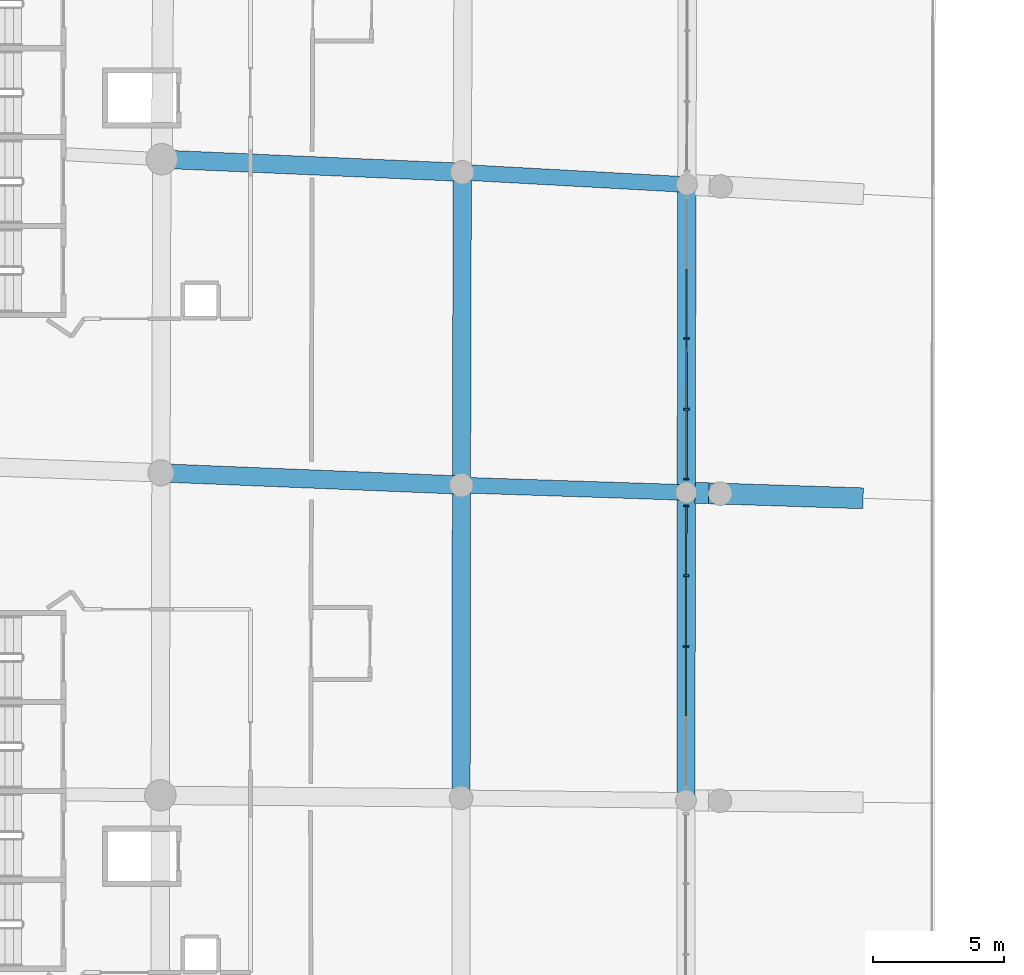
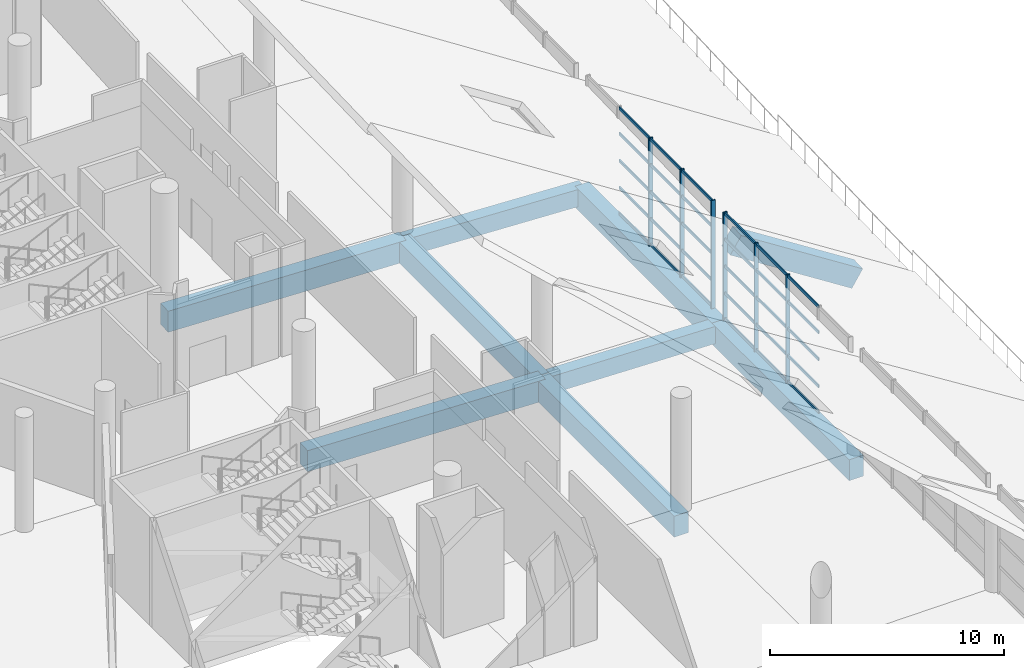
# One storey, part 55 of 249: 36 members, 9 beams, 2 elements without a shape of their own.
"""IFC4 building model written with IfcOpenShell, lengths in metres."""

from ifc_helpers import new_model, si_unit, direction, frame, origin, origin_2d, place, context, subcontext, project, spatial, rectangle, extrude, material, layer, layer_set, material_profile, profile_set, type_object, element, aggregate, save


model = new_model("IFC4")

# Units and contexts
model_context = context("Model", 3, precision=1e-05, world=origin(), true_north=direction((0.0, 1.0)))
body_context = subcontext(model_context, "Body", "Model", "MODEL_VIEW")
ifc_project = project(units=[si_unit("LENGTHUNIT", "METRE"), si_unit("AREAUNIT", "SQUARE_METRE"), si_unit("VOLUMEUNIT", "CUBIC_METRE"), si_unit("PLANEANGLEUNIT", "RADIAN"), si_unit("MASSUNIT", "GRAM", prefix="KILO")], contexts=[model_context])

# Site, building, storey
site_placement = place(None, origin())
site = spatial("IfcSite", under=ifc_project, at=site_placement, CompositionType="ELEMENT")
building_placement = place(site_placement, origin())
building = spatial("IfcBuilding", under=site, at=building_placement, Name="Meseta Stadium", CompositionType="ELEMENT")
storey_placement = place(building_placement, frame((0.0, 0.0, 12.0)))
storey = spatial("IfcBuildingStorey", under=building, at=storey_placement, Name="L02", CompositionType="ELEMENT", Elevation=12.0)

# Curtain wall, members
ifc_material_1 = material(Name="Aluminium", Category="aluminium")
ifc_layer = layer(ifc_material_1, 0.199951171875)
ifc_layer_set = layer_set([ifc_layer], Name="Suite glazing curtain wall")
curtain_wall_type = type_object("IfcCurtainWallType", Name="Suite glazing curtain wall", PredefinedType="NOTDEFINED", material=ifc_layer_set)
curtain_wall_1_placement = place(storey_placement, origin())
curtain_wall_1 = element("IfcCurtainWall", 1, at=curtain_wall_1_placement, inside=storey, type_object=curtain_wall_type, Name="Suite glazing bay 30", PredefinedType="NOTDEFINED")
ifc_material_2 = material(Name="Aluminium", Category="aluminium")
ifc_material_profile_1 = material_profile(ifc_material_2, rectangle(XDim=0.199951171875, YDim=0.06005859375, at=origin_2d()), Name="CW 200x60")
ifc_profile_set_1 = profile_set([ifc_material_profile_1], Name="Aluminium")
member_type_1 = type_object("IfcMemberType", Name="CW mullion 60x200", PredefinedType="MULLION", material=ifc_profile_set_1)
member_1_placement = place(storey_placement, frame((-64.875732421875, 23.546875, 0.0), z_axis=(0.0, 0.0, 1.0), x_axis=(0.999998105206, -0.001946685349, 0.0)))
member_1 = element("IfcMember", 2, at=member_1_placement, type_object=member_type_1, Name="CWS mullion 3", PredefinedType="MULLION", context=body_context, shape_type="SweptSolid", body=[
    extrude(rectangle(XDim=0.199951171875, YDim=0.06005859375, at=origin_2d()), origin(), (0.0, 0.0, 1.0), 5.64990234375),
])
member_2_placement = place(storey_placement, frame((-64.880859375, 20.84326171875, 0.0), z_axis=(0.0, 0.0, 1.0), x_axis=(0.999998105206, -0.001946685349, 0.0)))
member_2 = element("IfcMember", 3, at=member_2_placement, type_object=member_type_1, Name="CWS mullion 4", PredefinedType="MULLION", context=body_context, shape_type="SweptSolid", body=[
    extrude(rectangle(XDim=0.199951171875, YDim=0.06005859375, at=origin_2d()), origin(), (0.0, 0.0, 1.0), 5.64990234375),
])
member_3_placement = place(storey_placement, frame((-64.885986328125, 18.169921875, 0.0), z_axis=(0.0, 0.0, 1.0), x_axis=(0.999998105206, -0.001946685349, 0.0)))
member_3 = element("IfcMember", 4, at=member_3_placement, type_object=member_type_1, Name="CWS mullion 5", PredefinedType="MULLION", context=body_context, shape_type="SweptSolid", body=[
    extrude(rectangle(XDim=0.199951171875, YDim=0.06005859375, at=origin_2d()), origin(), (0.0, 0.0, 1.0), 5.64990234375),
])

curtain_wall_2_placement = place(storey_placement, origin())
curtain_wall_2 = element("IfcCurtainWall", 5, at=curtain_wall_2_placement, inside=storey, type_object=curtain_wall_type, Name="Suite glazing bay 31", PredefinedType="NOTDEFINED")
member_4_placement = place(storey_placement, frame((-64.8876953125, 17.151611328125, 0.0), z_axis=(0.0, 0.0, 1.0), x_axis=(0.99999952434, -0.000975355927, 0.0)))
member_4 = element("IfcMember", 6, at=member_4_placement, type_object=member_type_1, Name="CWS mullion 1", PredefinedType="MULLION", context=body_context, shape_type="SweptSolid", body=[
    extrude(rectangle(XDim=0.199951171875, YDim=0.06005859375, at=origin_2d()), origin(), (0.0, 0.0, 1.0), 5.64990234375),
])
member_5_placement = place(storey_placement, frame((-64.89013671875, 14.477783203125, 0.0), z_axis=(0.0, 0.0, 1.0), x_axis=(0.99999952434, -0.000975355927, 0.0)))
member_5 = element("IfcMember", 7, at=member_5_placement, type_object=member_type_1, Name="CWS mullion 2", PredefinedType="MULLION", context=body_context, shape_type="SweptSolid", body=[
    extrude(rectangle(XDim=0.199951171875, YDim=0.06005859375, at=origin_2d()), origin(), (0.0, 0.0, 1.0), 5.64990234375),
])
member_6_placement = place(storey_placement, frame((-64.892822265625, 11.773681640625, 0.0), z_axis=(0.0, 0.0, 1.0), x_axis=(0.99999952434, -0.000975355927, 0.0)))
member_6 = element("IfcMember", 8, at=member_6_placement, type_object=member_type_1, Name="CWS mullion 3", PredefinedType="MULLION", context=body_context, shape_type="SweptSolid", body=[
    extrude(rectangle(XDim=0.199951171875, YDim=0.06005859375, at=origin_2d()), origin(), (0.0, 0.0, 1.0), 5.64990234375),
])

# Member
ifc_material_3 = material(Name="Aluminium", Category="aluminium")
ifc_material_profile_2 = material_profile(ifc_material_3, rectangle(XDim=0.06005859375, YDim=0.14990234375, at=origin_2d()), Name="CW 60x150")
ifc_profile_set_2 = profile_set([ifc_material_profile_2], Name="Aluminium")
member_type_2 = type_object("IfcMemberType", Name="CW transom 60x150", PredefinedType="USERDEFINED", material=ifc_profile_set_2)
member_7_placement = place(storey_placement, frame((-64.870361328125, 26.22021484375, 0.074951171875), z_axis=(-0.001939591807, -0.99999811899, 0.0), x_axis=(0.99999811899, -0.001939591807, 0.0)))
member_7 = element("IfcMember", 9, at=member_7_placement, type_object=member_type_2, Name="CWS transom 2.1", ObjectType="TRANSOM", PredefinedType="USERDEFINED", context=body_context, shape_type="SweptSolid", body=[
    extrude(rectangle(XDim=0.06005859375, YDim=0.14990234375, at=origin_2d()), origin(), (0.0, 0.0, 1.0), 2.643310546875),
])

member_8_placement = place(storey_placement, frame((-64.870361328125, 26.22021484375, 1.41259765625), z_axis=(-0.001939591807, -0.99999811899, 0.0), x_axis=(0.99999811899, -0.001939591807, 0.0)))
member_8 = element("IfcMember", 10, at=member_8_placement, type_object=member_type_2, Name="CWS transom 2.2", ObjectType="TRANSOM", PredefinedType="USERDEFINED", context=body_context, shape_type="SweptSolid", body=[
    extrude(rectangle(XDim=0.06005859375, YDim=0.14990234375, at=origin_2d()), origin(), (0.0, 0.0, 1.0), 2.643310546875),
])

member_9_placement = place(storey_placement, frame((-64.870361328125, 26.22021484375, 2.824951171875), z_axis=(-0.001939591807, -0.99999811899, 0.0), x_axis=(0.99999811899, -0.001939591807, 0.0)))
member_9 = element("IfcMember", 11, at=member_9_placement, type_object=member_type_2, Name="CWS transom 2.3", ObjectType="TRANSOM", PredefinedType="USERDEFINED", context=body_context, shape_type="SweptSolid", body=[
    extrude(rectangle(XDim=0.06005859375, YDim=0.14990234375, at=origin_2d()), origin(), (0.0, 0.0, 1.0), 2.643310546875),
])

member_10_placement = place(storey_placement, frame((-64.870361328125, 26.22021484375, 4.237548828125), z_axis=(-0.001939591807, -0.99999811899, 0.0), x_axis=(0.99999811899, -0.001939591807, 0.0)))
member_10 = element("IfcMember", 12, at=member_10_placement, type_object=member_type_2, Name="CWS transom 2.4", ObjectType="TRANSOM", PredefinedType="USERDEFINED", context=body_context, shape_type="SweptSolid", body=[
    extrude(rectangle(XDim=0.06005859375, YDim=0.14990234375, at=origin_2d()), origin(), (0.0, 0.0, 1.0), 2.643310546875),
])

member_11_placement = place(storey_placement, frame((-64.870361328125, 26.22021484375, 5.574951171875), z_axis=(-0.001939591807, -0.99999811899, 0.0), x_axis=(0.99999811899, -0.001939591807, 0.0)))
member_11 = element("IfcMember", 13, at=member_11_placement, type_object=member_type_2, Name="CWS transom 2.5", ObjectType="TRANSOM", PredefinedType="USERDEFINED", context=body_context, shape_type="SweptSolid", body=[
    extrude(rectangle(XDim=0.06005859375, YDim=0.14990234375, at=origin_2d()), origin(), (0.0, 0.0, 1.0), 2.643310546875),
])

member_12_placement = place(storey_placement, frame((-64.875732421875, 23.516845703125, 0.074951171875), z_axis=(-0.001939412681, -0.999998119337, 0.0), x_axis=(0.999998119337, -0.001939412681, 0.0)))
member_12 = element("IfcMember", 14, at=member_12_placement, type_object=member_type_2, Name="CWS transom 3.1", ObjectType="TRANSOM", PredefinedType="USERDEFINED", context=body_context, shape_type="SweptSolid", body=[
    extrude(rectangle(XDim=0.06005859375, YDim=0.14990234375, at=origin_2d()), origin(), (0.0, 0.0, 1.0), 2.6435546875),
])

member_13_placement = place(storey_placement, frame((-64.875732421875, 23.516845703125, 1.41259765625), z_axis=(-0.001939412681, -0.999998119337, 0.0), x_axis=(0.999998119337, -0.001939412681, 0.0)))
member_13 = element("IfcMember", 15, at=member_13_placement, type_object=member_type_2, Name="CWS transom 3.2", ObjectType="TRANSOM", PredefinedType="USERDEFINED", context=body_context, shape_type="SweptSolid", body=[
    extrude(rectangle(XDim=0.06005859375, YDim=0.14990234375, at=origin_2d()), origin(), (0.0, 0.0, 1.0), 2.6435546875),
])

member_14_placement = place(storey_placement, frame((-64.875732421875, 23.516845703125, 2.824951171875), z_axis=(-0.001939412681, -0.999998119337, 0.0), x_axis=(0.999998119337, -0.001939412681, 0.0)))
member_14 = element("IfcMember", 16, at=member_14_placement, type_object=member_type_2, Name="CWS transom 3.3", ObjectType="TRANSOM", PredefinedType="USERDEFINED", context=body_context, shape_type="SweptSolid", body=[
    extrude(rectangle(XDim=0.06005859375, YDim=0.14990234375, at=origin_2d()), origin(), (0.0, 0.0, 1.0), 2.6435546875),
])

member_15_placement = place(storey_placement, frame((-64.875732421875, 23.516845703125, 4.237548828125), z_axis=(-0.001939412681, -0.999998119337, 0.0), x_axis=(0.999998119337, -0.001939412681, 0.0)))
member_15 = element("IfcMember", 17, at=member_15_placement, type_object=member_type_2, Name="CWS transom 3.4", ObjectType="TRANSOM", PredefinedType="USERDEFINED", context=body_context, shape_type="SweptSolid", body=[
    extrude(rectangle(XDim=0.06005859375, YDim=0.14990234375, at=origin_2d()), origin(), (0.0, 0.0, 1.0), 2.6435546875),
])

member_16_placement = place(storey_placement, frame((-64.875732421875, 23.516845703125, 5.574951171875), z_axis=(-0.001939412681, -0.999998119337, 0.0), x_axis=(0.999998119337, -0.001939412681, 0.0)))
member_16 = element("IfcMember", 18, at=member_16_placement, type_object=member_type_2, Name="CWS transom 3.5", ObjectType="TRANSOM", PredefinedType="USERDEFINED", context=body_context, shape_type="SweptSolid", body=[
    extrude(rectangle(XDim=0.06005859375, YDim=0.14990234375, at=origin_2d()), origin(), (0.0, 0.0, 1.0), 2.6435546875),
])

member_17_placement = place(storey_placement, frame((-64.880859375, 20.8134765625, 0.074951171875), z_axis=(-0.001961696366, -0.999998075872, 0.0), x_axis=(0.999998075872, -0.001961696366, 0.0)))
member_17 = element("IfcMember", 19, at=member_17_placement, type_object=member_type_2, Name="CWS transom 4.1", ObjectType="TRANSOM", PredefinedType="USERDEFINED", context=body_context, shape_type="SweptSolid", body=[
    extrude(rectangle(XDim=0.06005859375, YDim=0.14990234375, at=origin_2d()), origin(), (0.0, 0.0, 1.0), 2.613525390625),
])

member_18_placement = place(storey_placement, frame((-64.880859375, 20.8134765625, 1.41259765625), z_axis=(-0.001961696366, -0.999998075872, 0.0), x_axis=(0.999998075872, -0.001961696366, 0.0)))
member_18 = element("IfcMember", 20, at=member_18_placement, type_object=member_type_2, Name="CWS transom 4.2", ObjectType="TRANSOM", PredefinedType="USERDEFINED", context=body_context, shape_type="SweptSolid", body=[
    extrude(rectangle(XDim=0.06005859375, YDim=0.14990234375, at=origin_2d()), origin(), (0.0, 0.0, 1.0), 2.613525390625),
])

member_19_placement = place(storey_placement, frame((-64.880859375, 20.8134765625, 2.824951171875), z_axis=(-0.001961696366, -0.999998075872, 0.0), x_axis=(0.999998075872, -0.001961696366, 0.0)))
member_19 = element("IfcMember", 21, at=member_19_placement, type_object=member_type_2, Name="CWS transom 4.3", ObjectType="TRANSOM", PredefinedType="USERDEFINED", context=body_context, shape_type="SweptSolid", body=[
    extrude(rectangle(XDim=0.06005859375, YDim=0.14990234375, at=origin_2d()), origin(), (0.0, 0.0, 1.0), 2.613525390625),
])

member_20_placement = place(storey_placement, frame((-64.880859375, 20.8134765625, 4.237548828125), z_axis=(-0.001961696366, -0.999998075872, 0.0), x_axis=(0.999998075872, -0.001961696366, 0.0)))
member_20 = element("IfcMember", 22, at=member_20_placement, type_object=member_type_2, Name="CWS transom 4.4", ObjectType="TRANSOM", PredefinedType="USERDEFINED", context=body_context, shape_type="SweptSolid", body=[
    extrude(rectangle(XDim=0.06005859375, YDim=0.14990234375, at=origin_2d()), origin(), (0.0, 0.0, 1.0), 2.613525390625),
])

member_21_placement = place(storey_placement, frame((-64.880859375, 20.8134765625, 5.574951171875), z_axis=(-0.001961696366, -0.999998075872, 0.0), x_axis=(0.999998075872, -0.001961696366, 0.0)))
member_21 = element("IfcMember", 23, at=member_21_placement, type_object=member_type_2, Name="CWS transom 4.5", ObjectType="TRANSOM", PredefinedType="USERDEFINED", context=body_context, shape_type="SweptSolid", body=[
    extrude(rectangle(XDim=0.06005859375, YDim=0.14990234375, at=origin_2d()), origin(), (0.0, 0.0, 1.0), 2.613525390625),
])

aggregate(curtain_wall_1, [member_1, member_2, member_3, member_7, member_8, member_9, member_10, member_11, member_12, member_13, member_14, member_15, member_16, member_17, member_18, member_19, member_20, member_21])

member_22_placement = place(storey_placement, frame((-64.8876953125, 17.12158203125, 0.074951171875), z_axis=(-0.000933968025, -0.999999563852, 0.0), x_axis=(0.999999563852, -0.000933968025, 0.0)))
member_22 = element("IfcMember", 24, at=member_22_placement, type_object=member_type_2, Name="CWS transom 1.1", ObjectType="TRANSOM", PredefinedType="USERDEFINED", context=body_context, shape_type="SweptSolid", body=[
    extrude(rectangle(XDim=0.06005859375, YDim=0.14990234375, at=origin_2d()), origin(), (0.0, 0.0, 1.0), 2.614013671875),
])

member_23_placement = place(storey_placement, frame((-64.8876953125, 17.12158203125, 1.41259765625), z_axis=(-0.000933968025, -0.999999563852, 0.0), x_axis=(0.999999563852, -0.000933968025, 0.0)))
member_23 = element("IfcMember", 25, at=member_23_placement, type_object=member_type_2, Name="CWS transom 1.2", ObjectType="TRANSOM", PredefinedType="USERDEFINED", context=body_context, shape_type="SweptSolid", body=[
    extrude(rectangle(XDim=0.06005859375, YDim=0.14990234375, at=origin_2d()), origin(), (0.0, 0.0, 1.0), 2.614013671875),
])

member_24_placement = place(storey_placement, frame((-64.8876953125, 17.12158203125, 2.824951171875), z_axis=(-0.000933968025, -0.999999563852, 0.0), x_axis=(0.999999563852, -0.000933968025, 0.0)))
member_24 = element("IfcMember", 26, at=member_24_placement, type_object=member_type_2, Name="CWS transom 1.3", ObjectType="TRANSOM", PredefinedType="USERDEFINED", context=body_context, shape_type="SweptSolid", body=[
    extrude(rectangle(XDim=0.06005859375, YDim=0.14990234375, at=origin_2d()), origin(), (0.0, 0.0, 1.0), 2.614013671875),
])

member_25_placement = place(storey_placement, frame((-64.8876953125, 17.12158203125, 4.237548828125), z_axis=(-0.000933968025, -0.999999563852, 0.0), x_axis=(0.999999563852, -0.000933968025, 0.0)))
member_25 = element("IfcMember", 27, at=member_25_placement, type_object=member_type_2, Name="CWS transom 1.4", ObjectType="TRANSOM", PredefinedType="USERDEFINED", context=body_context, shape_type="SweptSolid", body=[
    extrude(rectangle(XDim=0.06005859375, YDim=0.14990234375, at=origin_2d()), origin(), (0.0, 0.0, 1.0), 2.614013671875),
])

member_26_placement = place(storey_placement, frame((-64.8876953125, 17.12158203125, 5.574951171875), z_axis=(-0.000933968025, -0.999999563852, 0.0), x_axis=(0.999999563852, -0.000933968025, 0.0)))
member_26 = element("IfcMember", 28, at=member_26_placement, type_object=member_type_2, Name="CWS transom 1.5", ObjectType="TRANSOM", PredefinedType="USERDEFINED", context=body_context, shape_type="SweptSolid", body=[
    extrude(rectangle(XDim=0.06005859375, YDim=0.14990234375, at=origin_2d()), origin(), (0.0, 0.0, 1.0), 2.614013671875),
])

member_27_placement = place(storey_placement, frame((-64.89013671875, 14.44775390625, 0.074951171875), z_axis=(-0.001015696614, -0.99999948418, 0.0), x_axis=(0.99999948418, -0.001015696614, 0.0)))
member_27 = element("IfcMember", 29, at=member_27_placement, type_object=member_type_2, Name="CWS transom 2.1", ObjectType="TRANSOM", PredefinedType="USERDEFINED", context=body_context, shape_type="SweptSolid", body=[
    extrude(rectangle(XDim=0.06005859375, YDim=0.14990234375, at=origin_2d()), origin(), (0.0, 0.0, 1.0), 2.64404296875),
])

member_28_placement = place(storey_placement, frame((-64.89013671875, 14.44775390625, 1.41259765625), z_axis=(-0.001015696614, -0.99999948418, 0.0), x_axis=(0.99999948418, -0.001015696614, 0.0)))
member_28 = element("IfcMember", 30, at=member_28_placement, type_object=member_type_2, Name="CWS transom 2.2", ObjectType="TRANSOM", PredefinedType="USERDEFINED", context=body_context, shape_type="SweptSolid", body=[
    extrude(rectangle(XDim=0.06005859375, YDim=0.14990234375, at=origin_2d()), origin(), (0.0, 0.0, 1.0), 2.64404296875),
])

member_29_placement = place(storey_placement, frame((-64.89013671875, 14.44775390625, 2.824951171875), z_axis=(-0.001015696614, -0.99999948418, 0.0), x_axis=(0.99999948418, -0.001015696614, 0.0)))
member_29 = element("IfcMember", 31, at=member_29_placement, type_object=member_type_2, Name="CWS transom 2.3", ObjectType="TRANSOM", PredefinedType="USERDEFINED", context=body_context, shape_type="SweptSolid", body=[
    extrude(rectangle(XDim=0.06005859375, YDim=0.14990234375, at=origin_2d()), origin(), (0.0, 0.0, 1.0), 2.64404296875),
])

member_30_placement = place(storey_placement, frame((-64.89013671875, 14.44775390625, 4.237548828125), z_axis=(-0.001015696614, -0.99999948418, 0.0), x_axis=(0.99999948418, -0.001015696614, 0.0)))
member_30 = element("IfcMember", 32, at=member_30_placement, type_object=member_type_2, Name="CWS transom 2.4", ObjectType="TRANSOM", PredefinedType="USERDEFINED", context=body_context, shape_type="SweptSolid", body=[
    extrude(rectangle(XDim=0.06005859375, YDim=0.14990234375, at=origin_2d()), origin(), (0.0, 0.0, 1.0), 2.64404296875),
])

member_31_placement = place(storey_placement, frame((-64.89013671875, 14.44775390625, 5.574951171875), z_axis=(-0.001015696614, -0.99999948418, 0.0), x_axis=(0.99999948418, -0.001015696614, 0.0)))
member_31 = element("IfcMember", 33, at=member_31_placement, type_object=member_type_2, Name="CWS transom 2.5", ObjectType="TRANSOM", PredefinedType="USERDEFINED", context=body_context, shape_type="SweptSolid", body=[
    extrude(rectangle(XDim=0.06005859375, YDim=0.14990234375, at=origin_2d()), origin(), (0.0, 0.0, 1.0), 2.64404296875),
])

member_32_placement = place(storey_placement, frame((-64.892822265625, 11.743896484375, 0.074951171875), z_axis=(-0.001015696614, -0.99999948418, 0.0), x_axis=(0.99999948418, -0.001015696614, 0.0)))
member_32 = element("IfcMember", 34, at=member_32_placement, type_object=member_type_2, Name="CWS transom 3.1", ObjectType="TRANSOM", PredefinedType="USERDEFINED", context=body_context, shape_type="SweptSolid", body=[
    extrude(rectangle(XDim=0.06005859375, YDim=0.14990234375, at=origin_2d()), origin(), (0.0, 0.0, 1.0), 2.64404296875),
])

member_33_placement = place(storey_placement, frame((-64.892822265625, 11.743896484375, 1.41259765625), z_axis=(-0.001015696614, -0.99999948418, 0.0), x_axis=(0.99999948418, -0.001015696614, 0.0)))
member_33 = element("IfcMember", 35, at=member_33_placement, type_object=member_type_2, Name="CWS transom 3.2", ObjectType="TRANSOM", PredefinedType="USERDEFINED", context=body_context, shape_type="SweptSolid", body=[
    extrude(rectangle(XDim=0.06005859375, YDim=0.14990234375, at=origin_2d()), origin(), (0.0, 0.0, 1.0), 2.64404296875),
])

member_34_placement = place(storey_placement, frame((-64.892822265625, 11.743896484375, 2.824951171875), z_axis=(-0.001015696614, -0.99999948418, 0.0), x_axis=(0.99999948418, -0.001015696614, 0.0)))
member_34 = element("IfcMember", 36, at=member_34_placement, type_object=member_type_2, Name="CWS transom 3.3", ObjectType="TRANSOM", PredefinedType="USERDEFINED", context=body_context, shape_type="SweptSolid", body=[
    extrude(rectangle(XDim=0.06005859375, YDim=0.14990234375, at=origin_2d()), origin(), (0.0, 0.0, 1.0), 2.64404296875),
])

member_35_placement = place(storey_placement, frame((-64.892822265625, 11.743896484375, 4.237548828125), z_axis=(-0.001015696614, -0.99999948418, 0.0), x_axis=(0.99999948418, -0.001015696614, 0.0)))
member_35 = element("IfcMember", 37, at=member_35_placement, type_object=member_type_2, Name="CWS transom 3.4", ObjectType="TRANSOM", PredefinedType="USERDEFINED", context=body_context, shape_type="SweptSolid", body=[
    extrude(rectangle(XDim=0.06005859375, YDim=0.14990234375, at=origin_2d()), origin(), (0.0, 0.0, 1.0), 2.64404296875),
])

member_36_placement = place(storey_placement, frame((-64.892822265625, 11.743896484375, 5.574951171875), z_axis=(-0.001015696614, -0.99999948418, 0.0), x_axis=(0.99999948418, -0.001015696614, 0.0)))
member_36 = element("IfcMember", 38, at=member_36_placement, type_object=member_type_2, Name="CWS transom 3.5", ObjectType="TRANSOM", PredefinedType="USERDEFINED", context=body_context, shape_type="SweptSolid", body=[
    extrude(rectangle(XDim=0.06005859375, YDim=0.14990234375, at=origin_2d()), origin(), (0.0, 0.0, 1.0), 2.64404296875),
])

aggregate(curtain_wall_2, [member_4, member_5, member_6, member_22, member_23, member_24, member_25, member_26, member_27, member_28, member_29, member_30, member_31, member_32, member_33, member_34, member_35, member_36])

# Beams
ifc_material_4 = material(Name="Concrete C40/50", Category="concrete")
ifc_material_profile_3 = material_profile(ifc_material_4, rectangle(XDim=0.60009765625, YDim=0.89990234375, at=origin_2d()), Name="RC 600x900")
ifc_profile_set_3 = profile_set([ifc_material_profile_3], Name="Concrete C40/50")
beam_type_1 = type_object("IfcBeamType", Name="RC beam 600x900", PredefinedType="BEAM", material=ifc_profile_set_3)
beam_1_placement = place(storey_placement, frame((-64.8642578125, 29.433349609375, -0.800048828125), z_axis=(-0.998501047384, 0.054732607948, 0.0), x_axis=(-0.054732607948, -0.998501047384, 0.0)))
element("IfcBeam", 39, at=beam_1_placement, inside=storey, type_object=beam_type_1, Name="L02 radial beam frame 30 line D to E", PredefinedType="BEAM", context=body_context, shape_type="SweptSolid", body=[
    extrude(rectangle(XDim=0.60009765625, YDim=0.89990234375, at=origin_2d()), origin(), (0.0, 0.0, 1.0), 8.60009765625),
])
beam_2_placement = place(storey_placement, frame((-64.88720703125, 17.660888671875, -0.800048828125), z_axis=(-0.999459492737, 0.032874342231, 0.0), x_axis=(-0.032874342231, -0.999459492737, 0.0)))
element("IfcBeam", 40, at=beam_2_placement, inside=storey, type_object=beam_type_1, Name="L02 radial beam frame 31 line D to E", PredefinedType="BEAM", context=body_context, shape_type="SweptSolid", body=[
    extrude(rectangle(XDim=0.60009765625, YDim=0.89990234375, at=origin_2d()), origin(), (0.0, 0.0, 1.0), 8.599853515625),
])
ifc_material_5 = material(Name="Concrete C40/50", Category="concrete")
ifc_material_profile_4 = material_profile(ifc_material_5, rectangle(XDim=0.699951171875, YDim=1.10009765625, at=origin_2d()), Name="RC 700x1100")
ifc_profile_set_4 = profile_set([ifc_material_profile_4], Name="Concrete C40/50")
beam_type_2 = type_object("IfcBeamType", Name="RC beam 700x1100", PredefinedType="BEAM", material=ifc_profile_set_4)
beam_3_placement = place(storey_placement, frame((-64.8642578125, 29.433349609375, -0.89990234375), z_axis=(-0.001949394886, -0.999998099928, 0.0), x_axis=(0.999998099928, -0.001949394886, 0.0)))
element("IfcBeam", 41, at=beam_3_placement, inside=storey, type_object=beam_type_2, Name="L02 ring beam frame 30 line D", PredefinedType="BEAM", context=body_context, shape_type="SweptSolid", body=[
    extrude(rectangle(XDim=0.699951171875, YDim=1.10009765625, at=origin_2d()), origin(), (0.0, 0.0, 1.0), 11.7724609375),
])
beam_4_placement = place(storey_placement, frame((-73.451416015625, 29.904052734375, -0.89990234375), z_axis=(-0.002592357078, -0.999996639837, 0.0), x_axis=(0.999996639837, -0.002592357078, 0.0)))
element("IfcBeam", 42, at=beam_4_placement, inside=storey, type_object=beam_type_2, Name="L02 ring beam frame 30 line E", PredefinedType="BEAM", context=body_context, shape_type="SweptSolid", body=[
    extrude(rectangle(XDim=0.699951171875, YDim=1.10009765625, at=origin_2d()), origin(), (0.0, 0.0, 1.0), 11.96044921875),
])
beam_5_placement = place(storey_placement, frame((-64.88720703125, 17.660888671875, -0.89990234375), z_axis=(-0.000974577566, -0.999999525099, 0.0), x_axis=(0.999999525099, -0.000974577566, 0.0)))
element("IfcBeam", 43, at=beam_5_placement, inside=storey, type_object=beam_type_2, Name="L02 ring beam frame 31 line D", PredefinedType="BEAM", context=body_context, shape_type="SweptSolid", body=[
    extrude(rectangle(XDim=0.699951171875, YDim=1.10009765625, at=origin_2d()), origin(), (0.0, 0.0, 1.0), 11.77392578125),
])
beam_6_placement = place(storey_placement, frame((-73.482421875, 17.943603515625, -0.89990234375), z_axis=(-0.001306174648, -0.999999146954, 0.0), x_axis=(0.999999146954, -0.001306174648, 0.0)))
element("IfcBeam", 44, at=beam_6_placement, inside=storey, type_object=beam_type_2, Name="L02 ring beam frame 31 line E", PredefinedType="BEAM", context=body_context, shape_type="SweptSolid", body=[
    extrude(rectangle(XDim=0.699951171875, YDim=1.10009765625, at=origin_2d()), origin(), (0.0, 0.0, 1.0), 11.96240234375),
])
for number, where, z_axis, x_axis, name in (
    (45, (-73.451416015625, 29.904052734375, -0.89990234375), (-0.999054395094, 0.04347776033, 0.0), (-0.04347776033, -0.999054395094, 0.0), "L02 radial beam frame 30 line E to P"),
    (46, (-73.482421875, 17.943603515625, -0.89990234375), (-0.999175011921, 0.040611519947, 0.0), (-0.040611519947, -0.999175011921, 0.0), "L02 radial beam frame 31 line E to P"),
):
    element("IfcBeam", number, at=place(storey_placement, frame(where, z_axis=z_axis, x_axis=x_axis)), inside=storey, type_object=beam_type_2, Name=name, PredefinedType="BEAM", context=body_context, shape_type="SweptSolid", body=[
        extrude(rectangle(XDim=0.699951171875, YDim=1.10009765625, at=origin_2d()), origin(), (0.0, 0.0, 1.0), 11.500244140625),
    ])
ifc_material_6 = material(Name="Concrete C40/50", Category="concrete")
ifc_material_profile_5 = material_profile(ifc_material_6, rectangle(XDim=0.800048828125, YDim=1.0, at=origin_2d()), Name="RC 800x1000")
ifc_profile_set_5 = profile_set([ifc_material_profile_5], Name="Concrete C40/50")
beam_type_3 = type_object("IfcBeamType", Name="RC raker upper front 800x1000", PredefinedType="USERDEFINED", material=ifc_profile_set_5)
beam_7_placement = place(storey_placement, frame((-58.390625, 17.447021484375, -0.05029296875), z_axis=(-0.84755192503, 0.027897312152, 0.529978748964), x_axis=(-0.032897350014, -0.999458735698, 0.0)))
element("IfcBeam", 47, at=beam_7_placement, inside=storey, type_object=beam_type_3, Name="Raker upper front frame 31 upper tier", ObjectType="RAKER", PredefinedType="USERDEFINED", context=body_context, shape_type="SweptSolid", body=[
    extrude(rectangle(XDim=0.800048828125, YDim=1.0, at=origin_2d()), origin(), (0.0, 0.0, 1.0), 6.957275390625),
])

save(model, "model.ifc")
